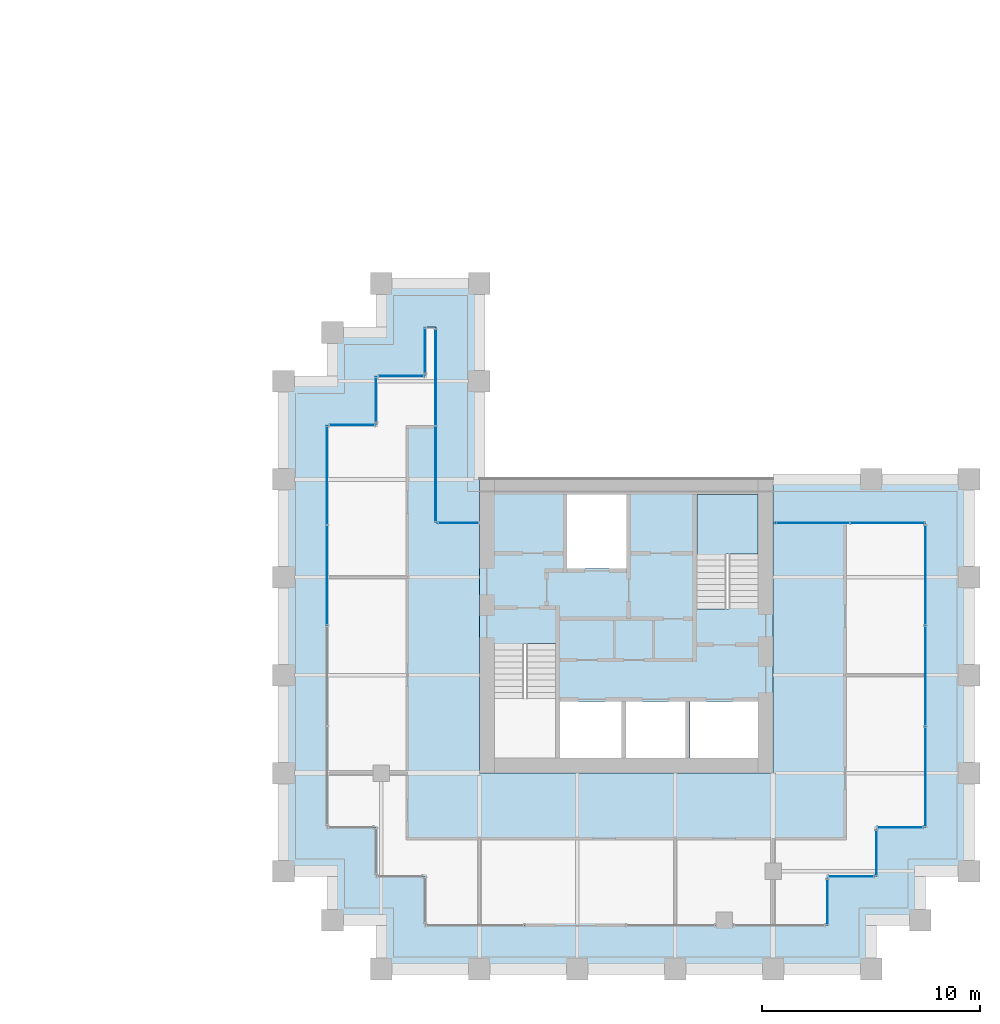
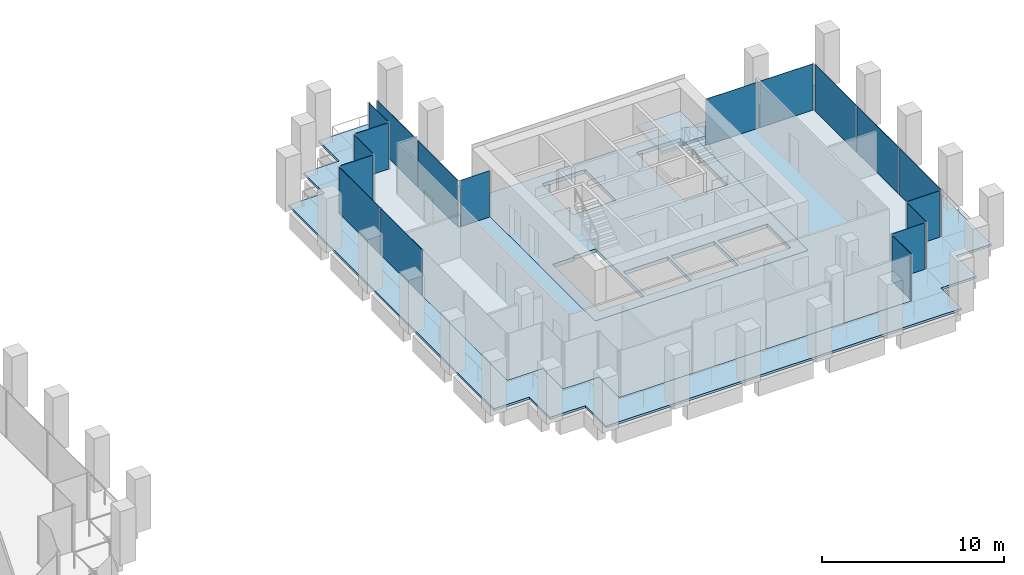
# One storey, part 40 of 46: 18 plates, 4 slabs, 14 elements without a shape of their own.
"""IFC4 building model written with IfcOpenShell, lengths in metres."""

from ifc_helpers import new_model, si_unit, direction, frame, origin, origin_2d, place, context, subcontext, project, spatial, polyline, rectangle, outline, extrude, material, layer, layer_set, type_object, element, aggregate, save


model = new_model("IFC4")

# Units and contexts
model_context = context("Model", 3, precision=1e-05, world=origin(), true_north=direction((0.0, 1.0)))
body_context = subcontext(model_context, "Body", "Model", "MODEL_VIEW")
ifc_project = project(units=[si_unit("LENGTHUNIT", "METRE"), si_unit("AREAUNIT", "SQUARE_METRE"), si_unit("VOLUMEUNIT", "CUBIC_METRE"), si_unit("PLANEANGLEUNIT", "RADIAN"), si_unit("MASSUNIT", "GRAM", prefix="KILO")], contexts=[model_context])

# Site, building, storey
site_placement = place(None, origin())
site = spatial("IfcSite", under=ifc_project, at=site_placement, CompositionType="ELEMENT")
building_placement = place(site_placement, origin())
building = spatial("IfcBuilding", under=site, at=building_placement, Name="Altepetl Exchange Towers", CompositionType="ELEMENT")
storey_placement = place(building_placement, frame((0.0, 0.0, 128.0)))
storey = spatial("IfcBuildingStorey", under=building, at=storey_placement, Name="L31", CompositionType="ELEMENT", Elevation=128.0)

# Slabs
ifc_material_1 = material(Name="Concrete C40/50", Category="concrete")
ifc_layer_1 = layer(ifc_material_1, 0.14990234375)
ifc_layer_set_1 = layer_set([ifc_layer_1], Name="Concrete C40/50")
slab_type_1 = type_object("IfcSlabType", Name="Composite floor slab 150", PredefinedType="FLOOR", material=ifc_layer_set_1)
slab_1_placement = place(storey_placement, frame((0.0, 0.0, -0.14990234375)))
element("IfcSlab", 1, at=slab_1_placement, inside=storey, type_object=slab_type_1, Name="slab:B:L31:strip0", PredefinedType="FLOOR", context=body_context, shape_type="SweptSolid", body=[
    extrude(outline(polyline([(98.75, 54.25), (98.75, 52.0), (96.5, 52.0), (96.5, 33.5), (98.75, 33.5), (98.75, 31.25), (101.0, 31.25), (101.0, 29.0), (119.5, 29.0), (119.5, 31.25), (121.75, 31.25), (121.75, 33.5), (124.0, 33.5), (124.0, 47.5), (117.0, 47.5), (117.0, 36.0), (103.5, 36.0), (103.5, 47.5), (101.5, 47.5), (101.5, 56.5), (101.0, 56.5), (101.0, 54.25), (98.75, 54.25)])), origin(), (0.0, 0.0, 1.0), 0.14990234375),
])
ifc_layer_2 = layer(ifc_material_1, 0.25)
ifc_layer_set_2 = layer_set([ifc_layer_2], Name="Concrete C40/50")
slab_type_2 = type_object("IfcSlabType", Name="Core floor slab 250", PredefinedType="FLOOR", material=ifc_layer_set_2)
slab_2_placement = place(storey_placement, frame((0.0, 0.0, -0.25)))
element("IfcSlab", 2, at=slab_2_placement, inside=storey, type_object=slab_type_2, Name="slab:B:L31:core0", PredefinedType="FLOOR", context=body_context, shape_type="SweptSolid", body=[
    extrude(outline(polyline([(103.5, 36.0), (117.0, 36.0), (117.0, 49.5), (103.5, 49.5), (103.5, 36.0)]), holes=[polyline([(107.199951171875, 36.699951171875), (107.199951171875, 39.300048828125), (110.032958984375, 39.300048828125), (110.032958984375, 36.699951171875), (107.199951171875, 36.699951171875)]), polyline([(110.23291015625, 39.300048828125), (112.967041015625, 39.300048828125), (112.967041015625, 36.699951171875), (110.23291015625, 36.699951171875), (110.23291015625, 39.300048828125)]), polyline([(113.1669921875, 39.300048828125), (116.300048828125, 39.300048828125), (116.300048828125, 36.699951171875), (113.1669921875, 36.699951171875), (113.1669921875, 39.300048828125)]), polyline([(107.0, 36.699951171875), (104.199951171875, 36.699951171875), (104.199951171875, 41.85009765625), (105.550048828125, 41.85009765625), (105.550048828125, 41.948974609375), (107.0, 41.948974609375), (107.0, 36.699951171875)]), polyline([(116.300048828125, 48.800048828125), (116.300048828125, 43.64990234375), (114.949951171875, 43.64990234375), (114.949951171875, 43.551025390625), (113.5, 43.551025390625), (113.5, 48.800048828125), (116.300048828125, 48.800048828125)]), polyline([(107.532958984375, 48.800048828125), (110.26708984375, 48.800048828125), (110.26708984375, 45.39990234375), (107.532958984375, 45.39990234375), (107.532958984375, 48.800048828125)])]), origin(), (0.0, 0.0, 1.0), 0.25),
])

# Curtain wall, plate
ifc_material_2 = material(Name="Aluminium 6063-T6 glazing", Category="aluminium")
curtain_wall_type = type_object("IfcCurtainWallType", Name="Loggia glazing system", PredefinedType="NOTDEFINED", material=ifc_material_2)
curtain_wall_1_placement = place(storey_placement, origin())
curtain_wall_1 = element("IfcCurtainWall", 3, at=curtain_wall_1_placement, inside=storey, type_object=curtain_wall_type, Name="CW1 run", PredefinedType="NOTDEFINED")
ifc_material_3 = material(Name="Glass 6-16-6 low emissivity", Category="glass")
ifc_layer_3 = layer(ifc_material_3, 0.028076171875)
ifc_layer_set_3 = layer_set([ifc_layer_3], Name="Glass 6-16-6 low emissivity")
plate_type = type_object("IfcPlateType", Name="Glass panel 28 double glazed", PredefinedType="CURTAIN_PANEL", material=ifc_layer_set_3)
plate_1_placement = place(storey_placement, frame((97.66259765625, 52.0, 0.0), z_axis=(0.0, 0.0, 1.0), x_axis=(-1.0, 0.0, 0.0)))
plate_1 = element("IfcPlate", 4, at=plate_1_placement, type_object=plate_type, Name="GP1 panel", PredefinedType="CURTAIN_PANEL", context=body_context, shape_type="SweptSolid", body=[
    extrude(rectangle(XDim=2.054931640625, YDim=0.028076171875, at=origin_2d()), origin(), (0.0, 0.0, 1.0), 3.10009765625),
])
aggregate(curtain_wall_1, [plate_1])

# Curtain wall, plates
curtain_wall_2_placement = place(storey_placement, origin())
curtain_wall_2 = element("IfcCurtainWall", 5, at=curtain_wall_2_placement, inside=storey, type_object=curtain_wall_type, Name="CW1 run", PredefinedType="NOTDEFINED")
plate_2_placement = place(storey_placement, frame((96.5, 49.681884765625, 0.0), z_axis=(0.0, 0.0, 1.0), x_axis=(0.0, -1.0, 0.0)))
plate_2 = element("IfcPlate", 6, at=plate_2_placement, type_object=plate_type, Name="GP1 panel", PredefinedType="CURTAIN_PANEL", context=body_context, shape_type="SweptSolid", body=[
    extrude(rectangle(XDim=4.516357421875, YDim=0.028076171875, at=origin_2d()), origin(), (0.0, 0.0, 1.0), 3.10009765625),
])
plate_3_placement = place(storey_placement, frame((96.5, 45.090576171875, 0.0), z_axis=(0.0, 0.0, 1.0), x_axis=(0.0, -1.0, 0.0)))
plate_3 = element("IfcPlate", 7, at=plate_3_placement, type_object=plate_type, Name="GP1 panel", PredefinedType="CURTAIN_PANEL", context=body_context, shape_type="SweptSolid", body=[
    extrude(rectangle(XDim=4.546142578125, YDim=0.028076171875, at=origin_2d()), origin(), (0.0, 0.0, 1.0), 3.10009765625),
])
aggregate(curtain_wall_2, [plate_2, plate_3])

# Curtain wall, plate
curtain_wall_3_placement = place(storey_placement, origin())
curtain_wall_3 = element("IfcCurtainWall", 8, at=curtain_wall_3_placement, inside=storey, type_object=curtain_wall_type, Name="CW1 run", PredefinedType="NOTDEFINED")
plate_4_placement = place(storey_placement, frame((119.5, 30.08740234375, 0.0), z_axis=(0.0, 0.0, 1.0), x_axis=(0.0, 1.0, 0.0)))
plate_4 = element("IfcPlate", 9, at=plate_4_placement, type_object=plate_type, Name="GP1 panel", PredefinedType="CURTAIN_PANEL", context=body_context, shape_type="SweptSolid", body=[
    extrude(rectangle(XDim=2.054931640625, YDim=0.028076171875, at=origin_2d()), origin(), (0.0, 0.0, 1.0), 3.10009765625),
])
aggregate(curtain_wall_3, [plate_4])

curtain_wall_4_placement = place(storey_placement, origin())
curtain_wall_4 = element("IfcCurtainWall", 10, at=curtain_wall_4_placement, inside=storey, type_object=curtain_wall_type, Name="CW1 run", PredefinedType="NOTDEFINED")
plate_5_placement = place(storey_placement, frame((120.58740234375, 31.25, 0.0)))
plate_5 = element("IfcPlate", 11, at=plate_5_placement, type_object=plate_type, Name="GP1 panel", PredefinedType="CURTAIN_PANEL", context=body_context, shape_type="SweptSolid", body=[
    extrude(rectangle(XDim=2.054931640625, YDim=0.028076171875, at=origin_2d()), origin(), (0.0, 0.0, 1.0), 3.10009765625),
])
aggregate(curtain_wall_4, [plate_5])

curtain_wall_5_placement = place(storey_placement, origin())
curtain_wall_5 = element("IfcCurtainWall", 12, at=curtain_wall_5_placement, inside=storey, type_object=curtain_wall_type, Name="CW1 run", PredefinedType="NOTDEFINED")
plate_6_placement = place(storey_placement, frame((121.75, 32.33740234375, 0.0), z_axis=(0.0, 0.0, 1.0), x_axis=(0.0, 1.0, 0.0)))
plate_6 = element("IfcPlate", 13, at=plate_6_placement, type_object=plate_type, Name="GP1 panel", PredefinedType="CURTAIN_PANEL", context=body_context, shape_type="SweptSolid", body=[
    extrude(rectangle(XDim=2.054931640625, YDim=0.028076171875, at=origin_2d()), origin(), (0.0, 0.0, 1.0), 3.10009765625),
])
aggregate(curtain_wall_5, [plate_6])

curtain_wall_6_placement = place(storey_placement, origin())
curtain_wall_6 = element("IfcCurtainWall", 14, at=curtain_wall_6_placement, inside=storey, type_object=curtain_wall_type, Name="CW1 run", PredefinedType="NOTDEFINED")
plate_7_placement = place(storey_placement, frame((122.83740234375, 33.5, 0.0)))
plate_7 = element("IfcPlate", 15, at=plate_7_placement, type_object=plate_type, Name="GP1 panel", PredefinedType="CURTAIN_PANEL", context=body_context, shape_type="SweptSolid", body=[
    extrude(rectangle(XDim=2.054931640625, YDim=0.028076171875, at=origin_2d()), origin(), (0.0, 0.0, 1.0), 3.10009765625),
])
aggregate(curtain_wall_6, [plate_7])

# Curtain wall, plates
curtain_wall_7_placement = place(storey_placement, origin())
curtain_wall_7 = element("IfcCurtainWall", 16, at=curtain_wall_7_placement, inside=storey, type_object=curtain_wall_type, Name="CW1 run", PredefinedType="NOTDEFINED")
plate_8_placement = place(storey_placement, frame((124.0, 35.8359375, 0.0), z_axis=(0.0, 0.0, 1.0), x_axis=(0.0, 1.0, 0.0)))
plate_8 = element("IfcPlate", 17, at=plate_8_placement, type_object=plate_type, Name="GP1 panel", PredefinedType="CURTAIN_PANEL", context=body_context, shape_type="SweptSolid", body=[
    extrude(rectangle(XDim=4.5517578125, YDim=0.028076171875, at=origin_2d()), origin(), (0.0, 0.0, 1.0), 3.10009765625),
])
plate_9_placement = place(storey_placement, frame((124.0, 40.46240234375, 0.0), z_axis=(0.0, 0.0, 1.0), x_axis=(0.0, 1.0, 0.0)))
plate_9 = element("IfcPlate", 18, at=plate_9_placement, type_object=plate_type, Name="GP1 panel", PredefinedType="CURTAIN_PANEL", context=body_context, shape_type="SweptSolid", body=[
    extrude(rectangle(XDim=4.581787109375, YDim=0.028076171875, at=origin_2d()), origin(), (0.0, 0.0, 1.0), 3.10009765625),
])
plate_10_placement = place(storey_placement, frame((124.0, 45.089111328125, 0.0), z_axis=(0.0, 0.0, 1.0), x_axis=(0.0, 1.0, 0.0)))
plate_10 = element("IfcPlate", 19, at=plate_10_placement, type_object=plate_type, Name="GP1 panel", PredefinedType="CURTAIN_PANEL", context=body_context, shape_type="SweptSolid", body=[
    extrude(rectangle(XDim=4.5517578125, YDim=0.028076171875, at=origin_2d()), origin(), (0.0, 0.0, 1.0), 3.10009765625),
])
aggregate(curtain_wall_7, [plate_8, plate_9, plate_10])

curtain_wall_8_placement = place(storey_placement, origin())
curtain_wall_8 = element("IfcCurtainWall", 20, at=curtain_wall_8_placement, inside=storey, type_object=curtain_wall_type, Name="CW1 run", PredefinedType="NOTDEFINED")
plate_11_placement = place(storey_placement, frame((122.253662109375, 47.5, 0.0), z_axis=(0.0, 0.0, 1.0), x_axis=(-1.0, 0.0, 0.0)))
plate_11 = element("IfcPlate", 21, at=plate_11_placement, type_object=plate_type, Name="GP1 panel", PredefinedType="CURTAIN_PANEL", context=body_context, shape_type="SweptSolid", body=[
    extrude(rectangle(XDim=3.37255859375, YDim=0.028076171875, at=origin_2d()), origin(), (0.0, 0.0, 1.0), 3.10009765625),
])
plate_12_placement = place(storey_placement, frame((118.8212890625, 47.5, 0.0), z_axis=(0.0, 0.0, 1.0), x_axis=(-1.0, 0.0, 0.0)))
plate_12 = element("IfcPlate", 22, at=plate_12_placement, type_object=plate_type, Name="GP1 panel", PredefinedType="CURTAIN_PANEL", context=body_context, shape_type="SweptSolid", body=[
    extrude(rectangle(XDim=3.37255859375, YDim=0.028076171875, at=origin_2d()), origin(), (0.0, 0.0, 1.0), 3.10009765625),
])
aggregate(curtain_wall_8, [plate_11, plate_12])

# Curtain wall, plate
curtain_wall_9_placement = place(storey_placement, origin())
curtain_wall_9 = element("IfcCurtainWall", 23, at=curtain_wall_9_placement, inside=storey, type_object=curtain_wall_type, Name="CW1 run", PredefinedType="NOTDEFINED")
plate_13_placement = place(storey_placement, frame((102.53759765625, 47.5, 0.0), z_axis=(0.0, 0.0, 1.0), x_axis=(-1.0, 0.0, 0.0)))
plate_13 = element("IfcPlate", 24, at=plate_13_placement, type_object=plate_type, Name="GP1 panel", PredefinedType="CURTAIN_PANEL", context=body_context, shape_type="SweptSolid", body=[
    extrude(rectangle(XDim=1.804931640625, YDim=0.028076171875, at=origin_2d()), origin(), (0.0, 0.0, 1.0), 3.10009765625),
])
aggregate(curtain_wall_9, [plate_13])

# Curtain wall, plates
curtain_wall_10_placement = place(storey_placement, origin())
curtain_wall_10 = element("IfcCurtainWall", 25, at=curtain_wall_10_placement, inside=storey, type_object=curtain_wall_type, Name="CW1 run", PredefinedType="NOTDEFINED")
plate_14_placement = place(storey_placement, frame((101.5, 49.746337890625, 0.0), z_axis=(0.0, 0.0, 1.0), x_axis=(0.0, 1.0, 0.0)))
plate_14 = element("IfcPlate", 26, at=plate_14_placement, type_object=plate_type, Name="GP1 panel", PredefinedType="CURTAIN_PANEL", context=body_context, shape_type="SweptSolid", body=[
    extrude(rectangle(XDim=4.37255859375, YDim=0.028076171875, at=origin_2d()), origin(), (0.0, 0.0, 1.0), 3.10009765625),
])
plate_15_placement = place(storey_placement, frame((101.5, 54.1787109375, 0.0), z_axis=(0.0, 0.0, 1.0), x_axis=(0.0, 1.0, 0.0)))
plate_15 = element("IfcPlate", 27, at=plate_15_placement, type_object=plate_type, Name="GP1 panel", PredefinedType="CURTAIN_PANEL", context=body_context, shape_type="SweptSolid", body=[
    extrude(rectangle(XDim=4.37255859375, YDim=0.028076171875, at=origin_2d()), origin(), (0.0, 0.0, 1.0), 3.10009765625),
])
aggregate(curtain_wall_10, [plate_14, plate_15])

# Curtain wall, plate
curtain_wall_11_placement = place(storey_placement, origin())
curtain_wall_11 = element("IfcCurtainWall", 28, at=curtain_wall_11_placement, inside=storey, type_object=curtain_wall_type, Name="CW1 run", PredefinedType="NOTDEFINED")
plate_16_placement = place(storey_placement, frame((101.0, 55.41259765625, 0.0), z_axis=(0.0, 0.0, 1.0), x_axis=(0.0, -1.0, 0.0)))
plate_16 = element("IfcPlate", 29, at=plate_16_placement, type_object=plate_type, Name="GP1 panel", PredefinedType="CURTAIN_PANEL", context=body_context, shape_type="SweptSolid", body=[
    extrude(rectangle(XDim=2.054931640625, YDim=0.028076171875, at=origin_2d()), origin(), (0.0, 0.0, 1.0), 3.10009765625),
])
aggregate(curtain_wall_11, [plate_16])

curtain_wall_12_placement = place(storey_placement, origin())
curtain_wall_12 = element("IfcCurtainWall", 30, at=curtain_wall_12_placement, inside=storey, type_object=curtain_wall_type, Name="CW1 run", PredefinedType="NOTDEFINED")
plate_17_placement = place(storey_placement, frame((99.91259765625, 54.25, 0.0), z_axis=(0.0, 0.0, 1.0), x_axis=(-1.0, 0.0, 0.0)))
plate_17 = element("IfcPlate", 31, at=plate_17_placement, type_object=plate_type, Name="GP1 panel", PredefinedType="CURTAIN_PANEL", context=body_context, shape_type="SweptSolid", body=[
    extrude(rectangle(XDim=2.054931640625, YDim=0.028076171875, at=origin_2d()), origin(), (0.0, 0.0, 1.0), 3.10009765625),
])
aggregate(curtain_wall_12, [plate_17])

curtain_wall_13_placement = place(storey_placement, origin())
curtain_wall_13 = element("IfcCurtainWall", 32, at=curtain_wall_13_placement, inside=storey, type_object=curtain_wall_type, Name="CW1 run", PredefinedType="NOTDEFINED")
plate_18_placement = place(storey_placement, frame((98.75, 53.16259765625, 0.0), z_axis=(0.0, 0.0, 1.0), x_axis=(0.0, -1.0, 0.0)))
plate_18 = element("IfcPlate", 33, at=plate_18_placement, type_object=plate_type, Name="GP1 panel", PredefinedType="CURTAIN_PANEL", context=body_context, shape_type="SweptSolid", body=[
    extrude(rectangle(XDim=2.054931640625, YDim=0.028076171875, at=origin_2d()), origin(), (0.0, 0.0, 1.0), 3.10009765625),
])
aggregate(curtain_wall_13, [plate_18])

# Slab
ifc_layer_4 = layer(ifc_material_1, 0.14990234375)
ifc_layer_set_4 = layer_set([ifc_layer_4], Name="Concrete C40/50")
slab_type_3 = type_object("IfcSlabType", Name="Loggia slab 150", PredefinedType="FLOOR", material=ifc_layer_set_4)
slab_3_placement = place(storey_placement, frame((0.0, 0.0, -0.14990234375)))
element("IfcSlab", 34, at=slab_3_placement, inside=storey, type_object=slab_type_3, Name="slab:B:L31:loggia0", PredefinedType="FLOOR", context=body_context, shape_type="SweptSolid", body=[
    extrude(outline(polyline([(96.75, 54.0), (94.5, 54.0), (94.5, 36.0), (94.5, 31.5), (96.75, 31.5), (96.75, 29.25), (99.0, 29.25), (99.0, 27.0), (117.0, 27.0), (121.5, 27.0), (121.5, 29.25), (123.75, 29.25), (123.75, 31.5), (126.0, 31.5), (126.0, 49.5), (117.0, 49.5), (117.0, 47.5), (124.0, 47.5), (124.0, 33.5), (121.75, 33.5), (121.75, 31.25), (119.5, 31.25), (119.5, 29.0), (101.0, 29.0), (101.0, 31.25), (98.75, 31.25), (98.75, 33.5), (96.5, 33.5), (96.5, 52.0), (98.75, 52.0), (98.75, 54.25), (101.0, 54.25), (101.0, 56.5), (101.5, 56.5), (101.5, 47.5), (103.5, 47.5), (103.5, 49.5), (103.5, 58.5), (99.0, 58.5), (99.0, 56.25), (96.75, 56.25), (96.75, 54.0)])), origin(), (0.0, 0.0, 1.0), 0.14990234375),
])

# Stair, slab
stair_type = type_object("IfcStairType", Name="Exit stair 1350 flights dogleg", PredefinedType="HALF_TURN_STAIR", material=ifc_material_1)
stair_placement = place(storey_placement, origin())
stair = element("IfcStair", 35, at=stair_placement, inside=storey, type_object=stair_type, Name="Exit stair 2", PredefinedType="HALF_TURN_STAIR")
ifc_layer_5 = layer(ifc_material_1, 0.199951171875)
ifc_layer_set_5 = layer_set([ifc_layer_5], Name="Concrete C40/50")
slab_type_4 = type_object("IfcSlabType", Name="Stair landing 200 reinforced concrete", PredefinedType="LANDING", material=ifc_layer_set_5)
slab_4_placement = place(storey_placement, frame((0.0, 0.0, 1.60009765625)))
slab_4 = element("IfcSlab", 36, at=slab_4_placement, type_object=slab_type_4, Name="ST-B2d landing 1", PredefinedType="LANDING", context=body_context, shape_type="SweptSolid", body=[
    extrude(outline(polyline([(114.85009765625, 45.969970703125), (113.5, 45.969970703125), (113.5, 46.070068359375), (113.5, 48.800048828125), (116.300048828125, 48.800048828125), (116.300048828125, 46.070068359375), (116.300048828125, 46.0693359375), (114.949951171875, 46.0693359375), (114.949951171875, 46.070068359375), (114.85009765625, 46.070068359375), (114.85009765625, 45.969970703125)])), origin(), (0.0, 0.0, 1.0), 0.199951171875),
])
aggregate(stair, [slab_4])

save(model, "model.ifc")
